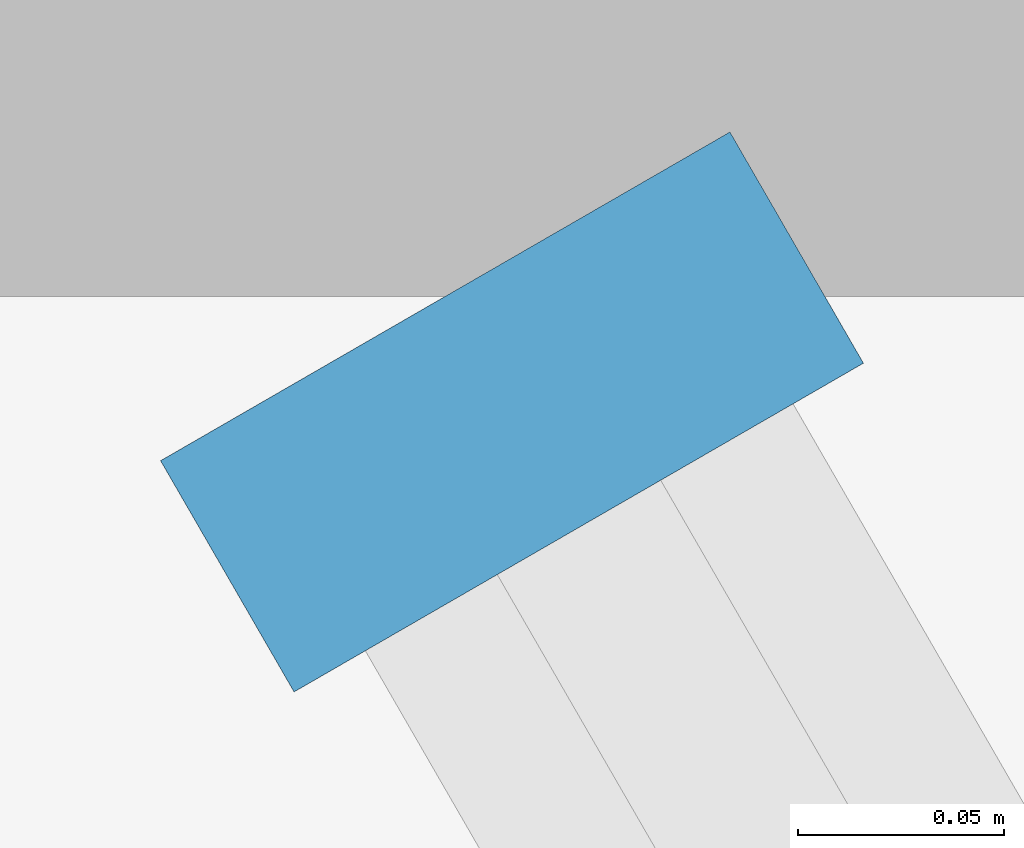
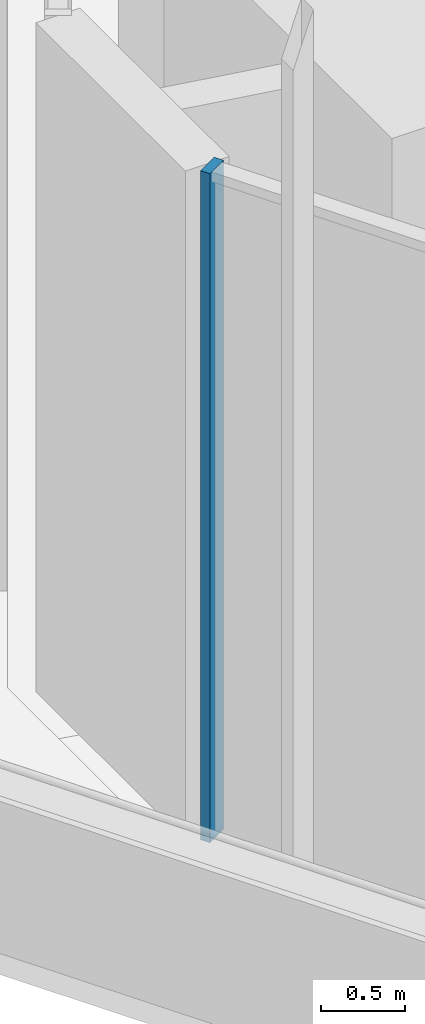
# One storey, part 128 of 228: 1 member, 1 element without a shape of its own.
"""IFC4 building model written with IfcOpenShell, lengths in metres."""

from ifc_helpers import new_model, si_unit, direction, frame, origin, origin_2d, place, context, subcontext, project, spatial, rectangle, extrude, material, material_profile, profile_set, type_object, element, aggregate, save


model = new_model("IFC4")

# Units and contexts
model_context = context("Model", 3, precision=1e-05, world=origin(), true_north=direction((0.0, 1.0)))
body_context = subcontext(model_context, "Body", "Model", "MODEL_VIEW")
ifc_project = project(units=[si_unit("LENGTHUNIT", "METRE"), si_unit("AREAUNIT", "SQUARE_METRE"), si_unit("VOLUMEUNIT", "CUBIC_METRE"), si_unit("PLANEANGLEUNIT", "RADIAN"), si_unit("MASSUNIT", "GRAM", prefix="KILO")], contexts=[model_context])

# Site, building, storey
site_placement = place(None, origin())
site = spatial("IfcSite", under=ifc_project, at=site_placement, CompositionType="ELEMENT")
building_placement = place(site_placement, origin())
building = spatial("IfcBuilding", under=site, at=building_placement, Name="Sandreach Pilgrim Tower", CompositionType="ELEMENT")
storey_placement = place(building_placement, frame((0.0, 0.0, 178.199951171875)))
storey = spatial("IfcBuildingStorey", under=building, at=storey_placement, Name="L44", CompositionType="ELEMENT", Elevation=178.199951171875)

# Curtain wall, member
ifc_material_1 = material(Name="Aluminium framed curtain wall", Category="aluminium")
curtain_wall_type = type_object("IfcCurtainWallType", Name="Upper hotel tower curtain wall", PredefinedType="NOTDEFINED", material=ifc_material_1)
curtain_wall_placement = place(storey_placement, origin())
curtain_wall = element("IfcCurtainWall", 1, at=curtain_wall_placement, inside=storey, type_object=curtain_wall_type, Name="CW-3 L44 SW", PredefinedType="NOTDEFINED")
ifc_material_2 = material(Name="Aluminium extrusion", Category="aluminium")
ifc_material_profile = material_profile(ifc_material_2, rectangle(XDim=0.06494140625, YDim=0.159912109375, at=origin_2d()), Name="CW-3M 65X160")
ifc_profile_set = profile_set([ifc_material_profile], Name="Aluminium extrusion")
member_type = type_object("IfcMemberType", Name="CW-3 mullion", PredefinedType="MULLION", material=ifc_profile_set)
member_placement = place(storey_placement, frame((-27.00390625, 4.451904296875, 0.0), z_axis=(0.0, 0.0, 1.0), x_axis=(-0.5, 0.866025403784, 0.0)))
member = element("IfcMember", 2, at=member_placement, type_object=member_type, Name="CW-3 mullion 10", PredefinedType="MULLION", context=body_context, shape_type="SweptSolid", body=[
    extrude(rectangle(XDim=0.06494140625, YDim=0.159912109375, at=origin_2d()), origin(), (0.0, 0.0, 1.0), 4.840087890625),
])
aggregate(curtain_wall, [member])

save(model, "model.ifc")
